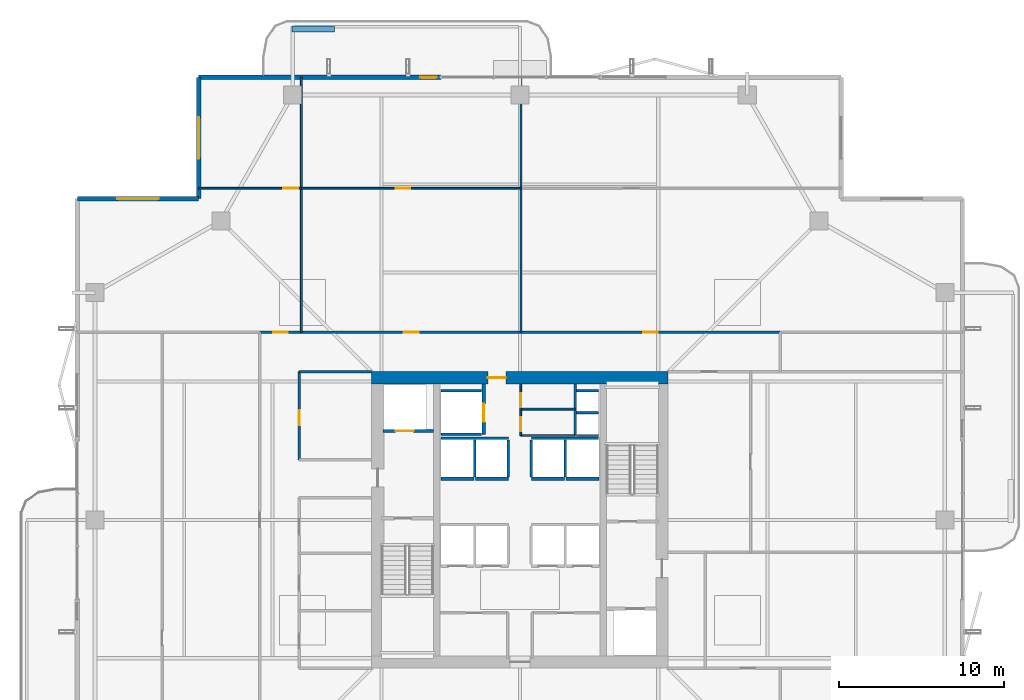
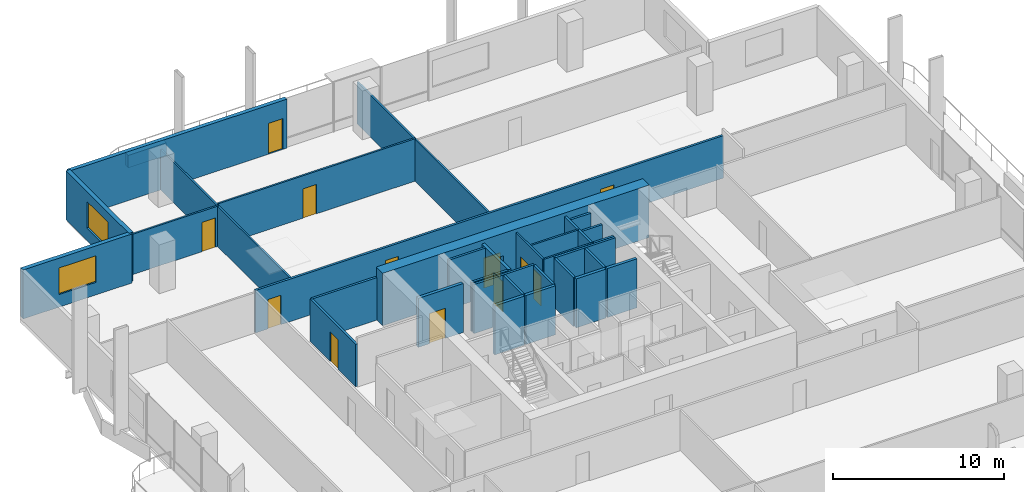
# One storey, part 19 of 24: 33 walls, 12 doors, 2 windows, 14 openings.
"""IFC4 building model written with IfcOpenShell, lengths in metres."""

import ifcopenshell
import ifcopenshell.guid

model = None  # the IFC model being written
_history = None  # IfcOwnerHistory: only IFC2X3 demands one
_inside = {}  # id of a spatial element -> (the spatial element, [elements in it])
_under = {}  # id of a project, library or spatial element -> (it, [spatial elements below it])
_declared = {}  # id of a project -> (the project, [libraries it declares])
_typed = {}  # id of a type object -> (the type object, [elements of that type])
_made_of = {}  # id of a material, layer set ... -> (it, [elements and type objects made of it])


def new_model(schema):
    """Start an empty IFC model of exactly this schema.

    Asked for "IFC4X3", IfcOpenShell would pick the latest addendum, in which some entities
    have other attributes; the version numbers below select the first issue.
    IFC2X3 requires an IfcOwnerHistory on every rooted entity: one is made here for all.
    """
    global model, _history
    if schema == "IFC4X3":
        model = ifcopenshell.file(schema_version=(4, 3, 0, 0))
    else:
        model = ifcopenshell.file(schema=schema)
    _inside.clear()
    _under.clear()
    _declared.clear()
    _typed.clear()
    _made_of.clear()
    _history = None
    if model.schema == "IFC2X3":
        org = make("IfcOrganization", Name="unknown")
        user = make(
            "IfcPersonAndOrganization",
            ThePerson=make("IfcPerson", FamilyName="unknown"),
            TheOrganization=org,
        )
        app = make(
            "IfcApplication",
            ApplicationDeveloper=org,
            Version="unknown",
            ApplicationFullName="unknown",
            ApplicationIdentifier="unknown",
        )
        _history = make(
            "IfcOwnerHistory",
            OwningUser=user,
            OwningApplication=app,
            ChangeAction="ADDED",
            CreationDate=0,
        )
    return model


def make(cls, **values):
    """One entity of the class cls with the attributes given. An attribute that is None is left unset."""
    return model.create_entity(
        cls, **{name: value for name, value in values.items() if value is not None}
    )


def rooted(cls, **values):
    """An entity with a GlobalId (a new one), such as an element, a storey or a relation."""
    return make(cls, GlobalId=ifcopenshell.guid.new(), OwnerHistory=_history, **values)


def si_unit(unit_type, name, prefix=None):
    """IfcSIUnit, for example si_unit("LENGTHUNIT", "METRE", prefix="MILLI")."""
    return make("IfcSIUnit", UnitType=unit_type, Prefix=prefix, Name=name)


def assignment(units):
    """IfcUnitAssignment: the units of a project."""
    return None if units is None else make("IfcUnitAssignment", Units=units)


def point(xyz):
    """IfcCartesianPoint."""
    return None if xyz is None else make("IfcCartesianPoint", Coordinates=xyz)


def direction(xyz):
    """IfcDirection."""
    return None if xyz is None else make("IfcDirection", DirectionRatios=xyz)


def frame(location, z_axis=None, x_axis=None):
    """IfcAxis2Placement3D, a coordinate frame: its origin and axes. An axis left out is left unset."""
    return make(
        "IfcAxis2Placement3D",
        Location=point(location),
        Axis=direction(z_axis),
        RefDirection=direction(x_axis),
    )


def frame_2d(location, x_axis=None):
    """IfcAxis2Placement2D, a coordinate frame in the plane: its origin and x axis."""
    return make(
        "IfcAxis2Placement2D", Location=point(location), RefDirection=direction(x_axis)
    )


def origin():
    """The frame at (0, 0, 0) with its axes left unset."""
    return frame((0.0, 0.0, 0.0))


def place(relative_to, where):
    """IfcLocalPlacement: puts the frame where relative to a parent placement (None: the world)."""
    return make(
        "IfcLocalPlacement", PlacementRelTo=relative_to, RelativePlacement=where
    )


def context(
    kind, dimensions, precision=None, world=None, true_north=None, identifier=None
):
    """IfcGeometricRepresentationContext, for example the 3D "Model" context."""
    return make(
        "IfcGeometricRepresentationContext",
        ContextIdentifier=identifier,
        ContextType=kind,
        CoordinateSpaceDimension=dimensions,
        Precision=precision,
        WorldCoordinateSystem=world,
        TrueNorth=true_north,
    )


def subcontext(parent, identifier, kind, view, scale=None):
    """IfcGeometricRepresentationSubContext, for example "Body" below "Model"."""
    return make(
        "IfcGeometricRepresentationSubContext",
        ContextIdentifier=identifier,
        ContextType=kind,
        ParentContext=parent,
        TargetScale=scale,
        TargetView=view,
    )


def project(units=None, contexts=None):
    """IfcProject with its units and contexts."""
    return rooted(
        "IfcProject",
        Name="project",
        RepresentationContexts=contexts,
        UnitsInContext=assignment(units),
    )


def spatial(cls, under=None, at=None, **own):
    """A site, building, storey or space (cls), placed at a placement, below another one or the project."""
    s = rooted(cls, ObjectPlacement=at, **own)
    if under is not None:
        _under.setdefault(under.id(), (under, []))[1].append(s)
    return s


def profile(cls, at=None, kind="AREA", **sizes):
    """A parametric profile (cls). Its sizes go by their IFC names, for example OverallWidth=200.0."""
    return make(cls, ProfileType=kind, Position=at, **sizes)


def rectangle(**sizes):
    """IfcRectangleProfileDef."""
    return profile("IfcRectangleProfileDef", **sizes)


def extrude(swept, where, along, depth):
    """IfcExtrudedAreaSolid: the profile swept, set in the frame where, extruded along a direction by depth."""
    return make(
        "IfcExtrudedAreaSolid",
        SweptArea=swept,
        Position=where,
        ExtrudedDirection=direction(along),
        Depth=depth,
    )


def shape(context_of_items, identifier, shape_type, items):
    """IfcShapeRepresentation: the items that make up one representation, for example the "Body"."""
    return make(
        "IfcShapeRepresentation",
        ContextOfItems=context_of_items,
        RepresentationIdentifier=identifier,
        RepresentationType=shape_type,
        Items=items,
    )


def material(Name=None, Category=None):
    """IfcMaterial."""
    return make("IfcMaterial", Name=Name, Category=Category)


def layer(
    of_material, thickness, ventilated=None, Name=None, Category=None, Priority=None
):
    """IfcMaterialLayer: one layer of a wall or slab, of a material (None: an air gap)."""
    return make(
        "IfcMaterialLayer",
        Material=of_material,
        LayerThickness=thickness,
        IsVentilated=ventilated,
        Name=Name,
        Category=Category,
        Priority=Priority,
    )


def layer_set(layers, Name=None):
    """IfcMaterialLayerSet."""
    return make("IfcMaterialLayerSet", MaterialLayers=layers, LayerSetName=Name)


def made_of(thing, what):
    """Note that an element or type object is made of a material, layer set ...; save() writes the relation."""
    if what is not None:
        _made_of.setdefault(what.id(), (what, []))[1].append(thing)
    return thing


def type_object(cls, material=None, **own):
    """A type object (cls), such as IfcWallType, which elements share."""
    return made_of(rooted(cls, **own), material)


def element(
    cls,
    number,
    at=None,
    inside=None,
    cuts=None,
    type_object=None,
    material=None,
    context=None,
    identifier="Body",
    shape_type=None,
    held_by="IfcProductDefinitionShape",
    body=None,
    shapes=None,
    **own,
):
    """One element of the class cls, such as IfcWall. Its Tag is "e" and its number.

    at: its placement. inside: the storey or other place that contains it. cuts: it is an
    opening in that element (IfcRelVoidsElement). A single representation is given by context,
    identifier, shape_type and body (its items); several are given by shapes. held_by: the class
    of the entity that holds the representations. save() writes the other relations.
    """
    e = rooted(cls, Tag="e%d" % number, ObjectPlacement=at, **own)
    if body is not None:
        shapes = [shape(context, identifier, shape_type, body)]
    if shapes is not None:
        e.Representation = make(held_by, Representations=shapes)
    if inside is not None:
        _inside.setdefault(inside.id(), (inside, []))[1].append(e)
    if cuts is not None:
        rooted(
            "IfcRelVoidsElement", RelatingBuildingElement=cuts, RelatedOpeningElement=e
        )
    if type_object is not None:
        _typed.setdefault(type_object.id(), (type_object, []))[1].append(e)
    return made_of(e, material)


def fill(opening, filler):
    """IfcRelFillsElement: the door or window that sits in an opening."""
    return rooted(
        "IfcRelFillsElement",
        RelatingOpeningElement=opening,
        RelatedBuildingElement=filler,
    )


def aggregate(whole, parts):
    """IfcRelAggregates: a whole, such as a stair, and the parts it consists of."""
    return rooted("IfcRelAggregates", RelatingObject=whole, RelatedObjects=parts)


def save(model, path):
    """Write the relations noted so far, then the file.

    IfcRelAggregates (storeys below a building ...), IfcRelContainedInSpatialStructure (elements
    in a storey), IfcRelDefinesByType, IfcRelAssociatesMaterial and IfcRelDeclares: one each for
    every whole, place, type object, material and project.
    """
    for whole, parts in _under.values():
        aggregate(whole, parts)
    for where, things in _inside.values():
        rooted(
            "IfcRelContainedInSpatialStructure",
            RelatedElements=things,
            RelatingStructure=where,
        )
    for kind, things in _typed.values():
        rooted("IfcRelDefinesByType", RelatedObjects=things, RelatingType=kind)
    for what, things in _made_of.values():
        rooted("IfcRelAssociatesMaterial", RelatedObjects=things, RelatingMaterial=what)
    for by, libraries in _declared.values():
        rooted("IfcRelDeclares", RelatingContext=by, RelatedDefinitions=libraries)
    model.write(path)


model = new_model("IFC4")

# Units and contexts
model_context = context("Model", 3, precision=1e-05, world=origin(), true_north=direction((0.0, 1.0)))
body_context = subcontext(model_context, "Body", "Model", "MODEL_VIEW")
ifc_project = project(units=[si_unit("LENGTHUNIT", "METRE"), si_unit("AREAUNIT", "SQUARE_METRE"), si_unit("VOLUMEUNIT", "CUBIC_METRE"), si_unit("PLANEANGLEUNIT", "RADIAN"), si_unit("MASSUNIT", "GRAM", prefix="KILO")], contexts=[model_context])

# Site, building, storey
site_placement = place(None, origin())
site = spatial("IfcSite", under=ifc_project, at=site_placement, CompositionType="ELEMENT")
building_placement = place(site_placement, origin())
building = spatial("IfcBuilding", under=site, at=building_placement, Name="Belovzor Exchange Tower", CompositionType="ELEMENT")
storey_placement = place(building_placement, frame((0.0, 0.0, 211.199951171875)))
storey = spatial("IfcBuildingStorey", under=building, at=storey_placement, Name="L52", CompositionType="ELEMENT", Elevation=211.199951171875)

# Wall, opening, door
ifc_material_1 = material(Name="Acoustic Plasterboard on Galvanised Studs", Category="gypsum")
ifc_layer_1 = layer(ifc_material_1, 0.1201171875)
ifc_layer_set_1 = layer_set([ifc_layer_1], Name="Acoustic Plasterboard on Galvanised Studs")
wall_type_1 = type_object("IfcWallType", Name="Acoustic Double-Stud Partition Wall 120", PredefinedType="PARTITIONING", material=ifc_layer_set_1)
wall_1_placement = place(storey_placement, frame((9.300048828125, 48.93505859375, 0.0), z_axis=(0.0, 0.0, 1.0), x_axis=(1.0, 0.0, 0.0)))
wall_1 = element("IfcWall", 1, at=wall_1_placement, inside=storey, type_object=wall_type_1, Name="W-P120 Partition Wall W-L52-NHDIV-0", PredefinedType="PARTITIONING", context=body_context, shape_type="SweptSolid", body=[
    extrude(rectangle(XDim=6.23388671875, YDim=0.1201171875, at=frame_2d((3.116943359375, 0.0))), origin(), (0.0, 0.0, 1.0), 2.885009765625),
])
opening_1_placement = place(wall_1_placement, frame((5.134033203125, 0.0, 0.0)))
opening_1 = element("IfcOpeningElement", 2, at=opening_1_placement, cuts=wall_1, Name="Opening D-INT-090", PredefinedType="OPENING", context=body_context, shape_type="SweptSolid", body=[
    extrude(rectangle(XDim=0.89990234375, YDim=2.10009765625, at=frame_2d((0.449951171875, 1.050048828125))), frame((0.0, 0.070068359375, 0.0), z_axis=(0.0, -1.0, 0.0), x_axis=(1.0, 0.0, 0.0)), (0.0, 0.0, 1.0), 0.14013671875),
])
ifc_material_2 = material(Name="Veneered Hardwood Acoustic Leaf", Category="wood")
door_type_1 = type_object("IfcDoorType", Name="Trading Suite Acoustic Single Door 900x2100", OperationType="NOTDEFINED", PredefinedType="DOOR", material=ifc_material_2)
door_1_placement = place(opening_1_placement, origin())
door_1 = element("IfcDoor", 3, at=door_1_placement, inside=storey, type_object=door_type_1, Name="D-INT-090 Trading Suite Acoustic Single Door 900x2100", OperationType="SINGLE_SWING_RIGHT", OverallHeight=2.10009765625, OverallWidth=0.89990234375, PredefinedType="DOOR", context=body_context, shape_type="SweptSolid", body=[
    extrude(rectangle(XDim=0.89990234375, YDim=2.10009765625, at=frame_2d((0.449951171875, 1.050048828125))), frame((0.0, 0.02490234375, 0.0), z_axis=(0.0, -1.0, 0.0), x_axis=(1.0, 0.0, 0.0)), (0.0, 0.0, 1.0), 0.050048828125),
])
fill(opening_1, door_1)

# Wall
wall_2_placement = place(storey_placement, frame((15.533935546875, 40.199951171875, 0.0), z_axis=(0.0, 0.0, 1.0), x_axis=(0.0, 1.0, 0.0)))
element("IfcWall", 4, at=wall_2_placement, inside=storey, type_object=wall_type_1, Name="W-P120 Partition Wall W-L52-NDIV-1", PredefinedType="PARTITIONING", context=body_context, shape_type="SweptSolid", body=[
    extrude(rectangle(XDim=15.469970703125, YDim=0.1201171875, at=frame_2d((7.73486328125, 0.0))), origin(), (0.0, 0.0, 1.0), 2.885009765625),
])

# Wall, opening, door
wall_3_placement = place(storey_placement, frame((15.533935546875, 48.93505859375, 0.0), z_axis=(0.0, 0.0, 1.0), x_axis=(1.0, 0.0, 0.0)))
wall_3 = element("IfcWall", 5, at=wall_3_placement, inside=storey, type_object=wall_type_1, Name="W-P120 Partition Wall W-L52-NHDIV-1", PredefinedType="PARTITIONING", context=body_context, shape_type="SweptSolid", body=[
    extrude(rectangle(XDim=13.3310546875, YDim=0.1201171875, at=frame_2d((6.66552734375, 0.0))), origin(), (0.0, 0.0, 1.0), 3.03515625),
])
opening_2_placement = place(wall_3_placement, frame((5.714111328125, 0.0, 0.0)))
opening_2 = element("IfcOpeningElement", 6, at=opening_2_placement, cuts=wall_3, Name="Opening D-INT-090", PredefinedType="OPENING", context=body_context, shape_type="SweptSolid", body=[
    extrude(rectangle(XDim=0.89990234375, YDim=2.10009765625, at=frame_2d((0.449951171875, 1.050048828125))), frame((0.0, 0.070068359375, 0.0), z_axis=(0.0, -1.0, 0.0), x_axis=(1.0, 0.0, 0.0)), (0.0, 0.0, 1.0), 0.14013671875),
])
door_2_placement = place(opening_2_placement, origin())
door_2 = element("IfcDoor", 7, at=door_2_placement, inside=storey, type_object=door_type_1, Name="D-INT-090 Trading Suite Acoustic Single Door 900x2100", OperationType="SINGLE_SWING_RIGHT", OverallHeight=2.10009765625, OverallWidth=0.89990234375, PredefinedType="DOOR", context=body_context, shape_type="SweptSolid", body=[
    extrude(rectangle(XDim=0.89990234375, YDim=2.10009765625, at=frame_2d((0.449951171875, 1.050048828125))), frame((0.0, 0.02490234375, 0.0), z_axis=(0.0, -1.0, 0.0), x_axis=(1.0, 0.0, 0.0)), (0.0, 0.0, 1.0), 0.050048828125),
])
fill(opening_2, door_2)

# Wall
wall_4_placement = place(storey_placement, frame((28.864990234375, 40.199951171875, 0.0), z_axis=(0.0, 0.0, 1.0), x_axis=(0.0, 1.0, 0.0)))
element("IfcWall", 8, at=wall_4_placement, inside=storey, type_object=wall_type_1, Name="W-P120 Partition Wall W-L52-NDIV-2", PredefinedType="PARTITIONING", context=body_context, shape_type="SweptSolid", body=[
    extrude(rectangle(XDim=15.469970703125, YDim=0.1201171875, at=frame_2d((7.73486328125, 0.0))), origin(), (0.0, 0.0, 1.0), 2.985107421875),
])

# Wall, openings, doors
ifc_material_3 = material(Name="Fire-Rated Plasterboard on Galvanised Studs", Category="gypsum")
ifc_layer_2 = layer(ifc_material_3, 0.1201171875)
ifc_layer_set_2 = layer_set([ifc_layer_2], Name="Fire-Rated Plasterboard on Galvanised Studs")
wall_type_2 = type_object("IfcWallType", Name="Fire-Rated Double-Stud Partition Wall 120", PredefinedType="PARTITIONING", material=ifc_layer_set_2)
wall_5_placement = place(storey_placement, frame((28.85009765625, 33.925048828125, 0.0), z_axis=(0.0, 0.0, 1.0), x_axis=(0.0, 1.0, 0.0)))
wall_5 = element("IfcWall", 9, at=wall_5_placement, inside=storey, type_object=wall_type_2, Name="W-P120F Partition Wall W-CRV-L52-W", PredefinedType="PARTITIONING", context=body_context, shape_type="SweptSolid", body=[
    extrude(rectangle(XDim=3.125, YDim=0.1201171875, at=frame_2d((1.5625, 0.0))), origin(), (0.0, 0.0, 1.0), 3.5),
])
opening_3_placement = place(wall_5_placement, frame((0.25, 0.0, 0.0)))
opening_3 = element("IfcOpeningElement", 10, at=opening_3_placement, cuts=wall_5, Name="Opening D-FD60-085", PredefinedType="OPENING", context=body_context, shape_type="SweptSolid", body=[
    extrude(rectangle(XDim=0.85009765625, YDim=2.10009765625, at=frame_2d((0.425048828125, 1.050048828125))), frame((0.0, 0.070068359375, 0.0), z_axis=(0.0, -1.0, 0.0), x_axis=(1.0, 0.0, 0.0)), (0.0, 0.0, 1.0), 0.14013671875),
])
opening_4_placement = place(wall_5_placement, frame((1.719970703125, 0.0, 0.0)))
opening_4 = element("IfcOpeningElement", 11, at=opening_4_placement, cuts=wall_5, Name="Opening D-FD60-085", PredefinedType="OPENING", context=body_context, shape_type="SweptSolid", body=[
    extrude(rectangle(XDim=0.85009765625, YDim=2.10009765625, at=frame_2d((0.425048828125, 1.050048828125))), frame((0.0, 0.070068359375, 0.0), z_axis=(0.0, -1.0, 0.0), x_axis=(1.0, 0.0, 0.0)), (0.0, 0.0, 1.0), 0.14013671875),
])
ifc_material_4 = material(Name="Fire-Rated Steel Access Leaf", Category="steel")
door_type_2 = type_object("IfcDoorType", Name="Riser & Meter Closet Access Fire Door 850x2100", OperationType="NOTDEFINED", PredefinedType="DOOR", material=ifc_material_4)
door_3_placement = place(opening_3_placement, origin())
door_3 = element("IfcDoor", 12, at=door_3_placement, inside=storey, type_object=door_type_2, Name="D-FD60-085 Riser & Meter Closet Access Fire Door 850x2100", OperationType="SINGLE_SWING_LEFT", OverallHeight=2.10009765625, OverallWidth=0.85009765625, PredefinedType="DOOR", context=body_context, shape_type="SweptSolid", body=[
    extrude(rectangle(XDim=0.85009765625, YDim=2.10009765625, at=frame_2d((0.425048828125, 1.050048828125))), frame((0.0, 0.02490234375, 0.0), z_axis=(0.0, -1.0, 0.0), x_axis=(1.0, 0.0, 0.0)), (0.0, 0.0, 1.0), 0.050048828125),
])
fill(opening_3, door_3)
door_4_placement = place(opening_4_placement, origin())
door_4 = element("IfcDoor", 13, at=door_4_placement, inside=storey, type_object=door_type_2, Name="D-FD60-085 Riser & Meter Closet Access Fire Door 850x2100", OperationType="SINGLE_SWING_RIGHT", OverallHeight=2.10009765625, OverallWidth=0.85009765625, PredefinedType="DOOR", context=body_context, shape_type="SweptSolid", body=[
    extrude(rectangle(XDim=0.85009765625, YDim=2.10009765625, at=frame_2d((0.425048828125, 1.050048828125))), frame((0.0, 0.02490234375, 0.0), z_axis=(0.0, -1.0, 0.0), x_axis=(1.0, 0.0, 0.0)), (0.0, 0.0, 1.0), 0.050048828125),
])
fill(opening_4, door_4)

# Walls
for number, where, z_axis, x_axis, name in (
    (14, (28.85009765625, 35.52490234375, 0.0), (0.0, 0.0, 1.0), (1.0, 0.0, 0.0), "W-P120F Partition Wall W-CRV-L52-M"),
    (15, (28.85009765625, 33.925048828125, 0.0), (0.0, 0.0, 1.0), (1.0, 0.0, 0.0), "W-P120F Partition Wall W-CRV-L52-S"),
):
    element("IfcWall", number, at=place(storey_placement, frame(where, z_axis=z_axis, x_axis=x_axis)), inside=storey, type_object=wall_type_2, Name=name, PredefinedType="PARTITIONING", context=body_context, shape_type="SweptSolid", body=[
        extrude(rectangle(XDim=3.2998046875, YDim=0.1201171875, at=frame_2d((1.64990234375, 0.0))), origin(), (0.0, 0.0, 1.0), 3.5),
    ])
ifc_material_5 = material(Name="Fire-Rated Gypsum Block and Mineral Wool", Category="gypsum")
ifc_layer_3 = layer(ifc_material_5, 0.14990234375)
ifc_layer_set_3 = layer_set([ifc_layer_3], Name="Fire-Rated Gypsum Block and Mineral Wool")
wall_type_3 = type_object("IfcWallType", Name="Fire-Rated Gypsum Block Corridor Wall 150", PredefinedType="PARTITIONING", material=ifc_layer_set_3)
wall_6_placement = place(storey_placement, frame((15.39990234375, 37.800048828125, 0.0), z_axis=(0.0, 0.0, 1.0), x_axis=(1.0, 0.0, 0.0)))
element("IfcWall", 16, at=wall_6_placement, inside=storey, type_object=wall_type_3, Name="W-P150 Partition Wall W-L52-INW-N", PredefinedType="PARTITIONING", context=body_context, shape_type="SweptSolid", body=[
    extrude(rectangle(XDim=4.400146484375, YDim=0.14990234375, at=frame_2d((2.2001953125, 0.0))), origin(), (0.0, 0.0, 1.0), 3.03515625),
])

# Wall, opening, door
wall_7_placement = place(storey_placement, frame((15.39990234375, 32.449951171875, 0.0), z_axis=(0.0, 0.0, 1.0), x_axis=(0.0, 1.0, 0.0)))
wall_7 = element("IfcWall", 17, at=wall_7_placement, inside=storey, type_object=wall_type_3, Name="W-P150 Partition Wall W-L52-WIE-N", PredefinedType="PARTITIONING", context=body_context, shape_type="SweptSolid", body=[
    extrude(rectangle(XDim=5.35009765625, YDim=0.14990234375, at=frame_2d((2.675048828125, 0.0))), origin(), (0.0, 0.0, 1.0), 3.03515625),
])
opening_5_placement = place(wall_7_placement, frame((2.10009765625, 0.0, 0.0)))
opening_5 = element("IfcOpeningElement", 18, at=opening_5_placement, cuts=wall_7, Name="Opening D-FD60-090", PredefinedType="OPENING", context=body_context, shape_type="SweptSolid", body=[
    extrude(rectangle(XDim=0.89990234375, YDim=2.10009765625, at=frame_2d((0.449951171875, 1.050048828125))), frame((0.0, 0.0849609375, 0.0), z_axis=(0.0, -1.0, 0.0), x_axis=(1.0, 0.0, 0.0)), (0.0, 0.0, 1.0), 0.169921875),
])
ifc_material_6 = material(Name="Acoustic Timber Fire Leaf", Category="wood")
door_type_3 = type_object("IfcDoorType", Name="Core Service & Restroom Fire Door 900x2100", OperationType="NOTDEFINED", PredefinedType="DOOR", material=ifc_material_6)
door_5_placement = place(opening_5_placement, origin())
door_5 = element("IfcDoor", 19, at=door_5_placement, inside=storey, type_object=door_type_3, Name="D-FD60-090 Core Service & Restroom Fire Door 900x2100", OperationType="SINGLE_SWING_LEFT", OverallHeight=2.10009765625, OverallWidth=0.89990234375, PredefinedType="DOOR", context=body_context, shape_type="SweptSolid", body=[
    extrude(rectangle(XDim=0.89990234375, YDim=2.10009765625, at=frame_2d((0.449951171875, 1.050048828125))), frame((0.0, 0.02490234375, 0.0), z_axis=(0.0, -1.0, 0.0), x_axis=(1.0, 0.0, 0.0)), (0.0, 0.0, 1.0), 0.050048828125),
])
fill(opening_5, door_5)

# Wall, openings, doors
wall_8_placement = place(storey_placement, frame((13.0, 40.199951171875, 0.0), z_axis=(0.0, 0.0, 1.0), x_axis=(1.0, 0.0, 0.0)))
wall_8 = element("IfcWall", 20, at=wall_8_placement, inside=storey, type_object=wall_type_3, Name="W-P150 Partition Wall W-L52-CN", PredefinedType="PARTITIONING", context=body_context, shape_type="SweptSolid", body=[
    extrude(rectangle(XDim=31.60009765625, YDim=0.14990234375, at=frame_2d((15.800048828125, 0.0))), origin(), (0.0, 0.0, 1.0), 3.03515625),
])
opening_6_placement = place(wall_8_placement, frame((0.81689453125, 0.0, 0.0)))
opening_6 = element("IfcOpeningElement", 21, at=opening_6_placement, cuts=wall_8, Name="Opening D-INT-090", PredefinedType="OPENING", context=body_context, shape_type="SweptSolid", body=[
    extrude(rectangle(XDim=0.89990234375, YDim=2.10009765625, at=frame_2d((0.449951171875, 1.050048828125))), frame((0.0, 0.0849609375, 0.0), z_axis=(0.0, -1.0, 0.0), x_axis=(1.0, 0.0, 0.0)), (0.0, 0.0, 1.0), 0.169921875),
])
opening_7_placement = place(wall_8_placement, frame((8.75, 0.0, 0.0)))
opening_7 = element("IfcOpeningElement", 22, at=opening_7_placement, cuts=wall_8, Name="Opening D-INT-090", PredefinedType="OPENING", context=body_context, shape_type="SweptSolid", body=[
    extrude(rectangle(XDim=0.89990234375, YDim=2.10009765625, at=frame_2d((0.449951171875, 1.050048828125))), frame((0.0, 0.0849609375, 0.0), z_axis=(0.0, -1.0, 0.0), x_axis=(1.0, 0.0, 0.0)), (0.0, 0.0, 1.0), 0.169921875),
])
opening_8_placement = place(wall_8_placement, frame((23.281982421875, 0.0, 0.0)))
opening_8 = element("IfcOpeningElement", 23, at=opening_8_placement, cuts=wall_8, Name="Opening D-INT-090", PredefinedType="OPENING", context=body_context, shape_type="SweptSolid", body=[
    extrude(rectangle(XDim=0.89990234375, YDim=2.10009765625, at=frame_2d((0.449951171875, 1.050048828125))), frame((0.0, 0.0849609375, 0.0), z_axis=(0.0, -1.0, 0.0), x_axis=(1.0, 0.0, 0.0)), (0.0, 0.0, 1.0), 0.169921875),
])
door_6_placement = place(opening_6_placement, origin())
door_6 = element("IfcDoor", 24, at=door_6_placement, inside=storey, type_object=door_type_1, Name="D-INT-090 Trading Suite Acoustic Single Door 900x2100", OperationType="SINGLE_SWING_RIGHT", OverallHeight=2.10009765625, OverallWidth=0.89990234375, PredefinedType="DOOR", context=body_context, shape_type="SweptSolid", body=[
    extrude(rectangle(XDim=0.89990234375, YDim=2.10009765625, at=frame_2d((0.449951171875, 1.050048828125))), frame((0.0, 0.02490234375, 0.0), z_axis=(0.0, -1.0, 0.0), x_axis=(1.0, 0.0, 0.0)), (0.0, 0.0, 1.0), 0.050048828125),
])
fill(opening_6, door_6)
door_7_placement = place(opening_7_placement, origin())
door_7 = element("IfcDoor", 25, at=door_7_placement, inside=storey, type_object=door_type_1, Name="D-INT-090 Trading Suite Acoustic Single Door 900x2100", OperationType="SINGLE_SWING_LEFT", OverallHeight=2.10009765625, OverallWidth=0.89990234375, PredefinedType="DOOR", context=body_context, shape_type="SweptSolid", body=[
    extrude(rectangle(XDim=0.89990234375, YDim=2.10009765625, at=frame_2d((0.449951171875, 1.050048828125))), frame((0.0, 0.02490234375, 0.0), z_axis=(0.0, -1.0, 0.0), x_axis=(1.0, 0.0, 0.0)), (0.0, 0.0, 1.0), 0.050048828125),
])
fill(opening_7, door_7)
door_8_placement = place(opening_8_placement, origin())
door_8 = element("IfcDoor", 26, at=door_8_placement, inside=storey, type_object=door_type_1, Name="D-INT-090 Trading Suite Acoustic Single Door 900x2100", OperationType="SINGLE_SWING_RIGHT", OverallHeight=2.10009765625, OverallWidth=0.89990234375, PredefinedType="DOOR", context=body_context, shape_type="SweptSolid", body=[
    extrude(rectangle(XDim=0.89990234375, YDim=2.10009765625, at=frame_2d((0.449951171875, 1.050048828125))), frame((0.0, 0.02490234375, 0.0), z_axis=(0.0, -1.0, 0.0), x_axis=(1.0, 0.0, 0.0)), (0.0, 0.0, 1.0), 0.050048828125),
])
fill(opening_8, door_8)

# Wall, opening, window
ifc_material_7 = material(Name="Precast concrete C40/50", Category="concrete")
ifc_layer_4 = layer(ifc_material_7, 0.280029296875)
ifc_layer_set_4 = layer_set([ifc_layer_4], Name="Precast concrete C40/50")
wall_type_4 = type_object("IfcWallType", Name="Precast Concrete Notched Corner Frame Wall 280", PredefinedType="SOLIDWALL", material=ifc_layer_set_4)
wall_9_placement = place(storey_placement, frame((1.929931640625, 48.300048828125, 0.0), z_axis=(0.0, 0.0, 1.0), x_axis=(1.0, 0.0, 0.0)))
wall_9 = element("IfcWall", 27, at=wall_9_placement, inside=storey, type_object=wall_type_4, Name="W-CRN280 Precast Concrete Notched Corner Frame Wall 280 L52", PredefinedType="SOLIDWALL", context=body_context, shape_type="SweptSolid", body=[
    extrude(rectangle(XDim=7.3701171875, YDim=0.280029296875, at=frame_2d((3.68505859375, 0.0))), origin(), (0.0, 0.0, 1.0), 3.5),
])
opening_9_placement = place(wall_9_placement, frame((2.43505859375, 0.0, 0.89990234375)))
opening_9 = element("IfcOpeningElement", 28, at=opening_9_placement, cuts=wall_9, Name="Opening WN-CRN250", PredefinedType="OPENING", context=body_context, shape_type="SweptSolid", body=[
    extrude(rectangle(XDim=2.5, YDim=1.89990234375, at=frame_2d((1.25, 0.949951171875))), frame((0.0, 0.14990234375, 0.0), z_axis=(0.0, -1.0, 0.0), x_axis=(1.0, 0.0, 0.0)), (0.0, 0.0, 1.0), 0.300048828125),
])
ifc_material_8 = material(Name="Thermally Broken Aluminium and Triple Glazing", Category="aluminium")
window_type = type_object("IfcWindowType", Name="Streamline Moderne Corner Wrap Ribbon Window 2500x1900", PartitioningType="SINGLE_PANEL", PredefinedType="WINDOW", material=ifc_material_8)
window_1_placement = place(opening_9_placement, origin())
window_1 = element("IfcWindow", 29, at=window_1_placement, inside=storey, type_object=window_type, Name="WN-CRN250 Streamline Moderne Corner Wrap Ribbon Window 2500x1900", OverallHeight=1.89990234375, OverallWidth=2.5, PartitioningType="SINGLE_PANEL", PredefinedType="WINDOW", context=body_context, shape_type="SweptSolid", body=[
    extrude(rectangle(XDim=2.5, YDim=1.89990234375, at=frame_2d((1.25, 0.949951171875))), frame((0.0, 0.030029296875, 0.0), z_axis=(0.0, -1.0, 0.0), x_axis=(1.0, 0.0, 0.0)), (0.0, 0.0, 1.0), 0.06005859375),
])
fill(opening_9, window_1)

wall_10_placement = place(storey_placement, frame((9.300048828125, 48.300048828125, 0.0), z_axis=(0.0, 0.0, 1.0), x_axis=(0.0, 1.0, 0.0)))
wall_10 = element("IfcWall", 30, at=wall_10_placement, inside=storey, type_object=wall_type_4, Name="W-CRN280 Precast Concrete Notched Corner Frame Wall 280 L52", PredefinedType="SOLIDWALL", context=body_context, shape_type="SweptSolid", body=[
    extrude(rectangle(XDim=7.369873046875, YDim=0.280029296875, at=frame_2d((3.68505859375, 0.0))), origin(), (0.0, 0.0, 1.0), 3.5),
])
opening_10_placement = place(wall_10_placement, frame((2.43505859375, 0.0, 0.89990234375)))
opening_10 = element("IfcOpeningElement", 31, at=opening_10_placement, cuts=wall_10, Name="Opening WN-CRN250", PredefinedType="OPENING", context=body_context, shape_type="SweptSolid", body=[
    extrude(rectangle(XDim=2.5, YDim=1.89990234375, at=frame_2d((1.25, 0.949951171875))), frame((0.0, 0.14990234375, 0.0), z_axis=(0.0, -1.0, 0.0), x_axis=(1.0, 0.0, 0.0)), (0.0, 0.0, 1.0), 0.300048828125),
])
window_2_placement = place(opening_10_placement, origin())
window_2 = element("IfcWindow", 32, at=window_2_placement, inside=storey, type_object=window_type, Name="WN-CRN250 Streamline Moderne Corner Wrap Ribbon Window 2500x1900", OverallHeight=1.89990234375, OverallWidth=2.5, PartitioningType="SINGLE_PANEL", PredefinedType="WINDOW", context=body_context, shape_type="SweptSolid", body=[
    extrude(rectangle(XDim=2.5, YDim=1.89990234375, at=frame_2d((1.25, 0.949951171875))), frame((0.0, 0.030029296875, 0.0), z_axis=(0.0, -1.0, 0.0), x_axis=(1.0, 0.0, 0.0)), (0.0, 0.0, 1.0), 0.06005859375),
])
fill(opening_10, window_2)

# Wall, opening, door
ifc_material_9 = material(Name="Precast concrete C40/50", Category="concrete")
ifc_layer_5 = layer(ifc_material_9, 0.260009765625)
ifc_layer_set_5 = layer_set([ifc_layer_5], Name="Precast concrete C40/50")
wall_type_5 = type_object("IfcWallType", Name="Precast Concrete Perimeter Loggia Frame Wall 260", PredefinedType="SOLIDWALL", material=ifc_layer_set_5)
wall_11_placement = place(storey_placement, frame((9.300048828125, 55.669921875, 0.0), z_axis=(0.0, 0.0, 1.0), x_axis=(1.0, 0.0, 0.0)))
wall_11 = element("IfcWall", 33, at=wall_11_placement, inside=storey, type_object=wall_type_5, Name="W-EXT260 Precast Concrete Perimeter Loggia Frame Wall 260 L52", PredefinedType="SOLIDWALL", context=body_context, shape_type="SweptSolid", body=[
    extrude(rectangle(XDim=14.699951171875, YDim=0.260009765625, at=frame_2d((7.35009765625, 0.0))), origin(), (0.0, 0.0, 1.0), 3.5),
])
opening_11_placement = place(wall_11_placement, frame((13.449951171875, 0.0, 0.0)))
opening_11 = element("IfcOpeningElement", 34, at=opening_11_placement, cuts=wall_11, Name="Opening D-BAL100", PredefinedType="OPENING", context=body_context, shape_type="SweptSolid", body=[
    extrude(rectangle(XDim=1.0, YDim=2.199951171875, at=frame_2d((0.5, 1.10009765625))), frame((0.0, 0.139892578125, 0.0), z_axis=(0.0, -1.0, 0.0), x_axis=(1.0, 0.0, 0.0)), (0.0, 0.0, 1.0), 0.280029296875),
])
ifc_material_10 = material(Name="Thermally Broken Anodised Aluminium and Laminated Glass", Category="aluminium")
door_type_4 = type_object("IfcDoorType", Name="Planted Loggia Terrace Glazed Door 1000x2200", OperationType="SINGLE_SWING_LEFT", PredefinedType="DOOR", material=ifc_material_10)
door_9_placement = place(opening_11_placement, origin())
door_9 = element("IfcDoor", 35, at=door_9_placement, inside=storey, type_object=door_type_4, Name="D-BAL100 Balcony Terrace Door L52 N", OperationType="SINGLE_SWING_RIGHT", OverallHeight=2.199951171875, OverallWidth=1.0, PredefinedType="DOOR", context=body_context, shape_type="SweptSolid", body=[
    extrude(rectangle(XDim=1.0, YDim=2.199951171875, at=frame_2d((0.5, 1.10009765625))), frame((0.0, 0.02490234375, 0.0), z_axis=(0.0, -1.0, 0.0), x_axis=(1.0, 0.0, 0.0)), (0.0, 0.0, 1.0), 0.050048828125),
])
fill(opening_11, door_9)

# Walls
ifc_material_11 = material(Name="Precast concrete C40/50", Category="concrete")
ifc_layer_6 = layer(ifc_material_11, 0.35009765625)
ifc_layer_set_6 = layer_set([ifc_layer_6], Name="Precast concrete C40/50")
wall_type_6 = type_object("IfcWallType", Name="Precast Concrete Structural Tree Planter Trough 350", PredefinedType="PARAPET", material=ifc_layer_set_6)
wall_12_placement = place(storey_placement, frame((14.949951171875, 58.60009765625, 0.0), z_axis=(0.0, 0.0, 1.0), x_axis=(1.0, 0.0, 0.0)))
element("IfcWall", 36, at=wall_12_placement, inside=storey, type_object=wall_type_6, Name="PT-350 Precast Concrete Structural Tree Planter Trough 350 L52", PredefinedType="PARAPET", context=body_context, shape_type="SweptSolid", body=[
    extrude(rectangle(XDim=2.60009765625, YDim=0.35009765625, at=frame_2d((1.300048828125, 0.0))), origin(), (0.0, 0.0, 1.0), 0.900146484375),
])
ifc_material_12 = material(Name="Concrete C50/60", Category="concrete")
ifc_layer_7 = layer(ifc_material_12, 0.14990234375)
ifc_layer_set_7 = layer_set([ifc_layer_7], Name="Concrete C50/60")
wall_type_7 = type_object("IfcWallType", Name="Reinforced Concrete Core Riser Shear Wall 150", PredefinedType="SHEAR", material=ifc_layer_set_7)
wall_13_placement = place(storey_placement, frame((32.14990234375, 34.0, 0.0), z_axis=(0.0, 0.0, 1.0), x_axis=(0.0, 1.0, 0.0)))
element("IfcWall", 37, at=wall_13_placement, inside=storey, type_object=wall_type_7, Name="W-C150S Core Shaft Wall W-RSR-L52-E", PredefinedType="SHEAR", context=body_context, shape_type="SweptSolid", body=[
    extrude(rectangle(XDim=3.050048828125, YDim=0.14990234375, at=frame_2d((1.52490234375, 0.0))), origin(), (0.0, 0.0, 1.0), 3.5),
])
for number, where, z_axis, x_axis, name in (
    (38, (32.25, 33.925048828125, 0.0), (0.0, 0.0, 1.0), (1.0, 0.0, 0.0), "W-C150S Core Shaft Wall W-RSR-L52-S"),
    (39, (32.25, 35.300048828125, 0.0), (0.0, 0.0, 1.0), (1.0, 0.0, 0.0), "W-C150S Core Shaft Wall W-RSR-L52-M"),
):
    element("IfcWall", number, at=place(storey_placement, frame(where, z_axis=z_axis, x_axis=x_axis)), inside=storey, type_object=wall_type_7, Name=name, PredefinedType="SHEAR", context=body_context, shape_type="SweptSolid", body=[
        extrude(rectangle(XDim=1.330078125, YDim=0.14990234375, at=frame_2d((0.6650390625, 0.0))), origin(), (0.0, 0.0, 1.0), 3.5),
    ])
for number, where, z_axis, x_axis, name in (
    (40, (24.0, 34.0, 0.0), (0.0, 0.0, 1.0), (1.0, 0.0, 0.0), "W-C150S Core Shaft Wall W-SH-L52-SL-01S"),
    (41, (24.0, 36.64990234375, 0.0), (0.0, 0.0, 1.0), (1.0, 0.0, 0.0), "W-C150S Core Shaft Wall W-SH-L52-SL-01N"),
):
    element("IfcWall", number, at=place(storey_placement, frame(where, z_axis=z_axis, x_axis=x_axis)), inside=storey, type_object=wall_type_7, Name=name, PredefinedType="SHEAR", context=body_context, shape_type="SweptSolid", body=[
        extrude(rectangle(XDim=2.47998046875, YDim=0.14990234375, at=frame_2d((1.239990234375, 0.0))), origin(), (0.0, 0.0, 1.0), 3.5),
    ])
wall_14_placement = place(storey_placement, frame((32.25, 36.64990234375, 0.0), z_axis=(0.0, 0.0, 1.0), x_axis=(1.0, 0.0, 0.0)))
element("IfcWall", 42, at=wall_14_placement, inside=storey, type_object=wall_type_7, Name="W-C150S Core Shaft Wall W-RSR-L52-N", PredefinedType="SHEAR", context=body_context, shape_type="SweptSolid", body=[
    extrude(rectangle(XDim=1.330078125, YDim=0.14990234375, at=frame_2d((0.6650390625, 0.0))), origin(), (0.0, 0.0, 1.0), 3.5),
])
for number, where, z_axis, x_axis, name in (
    (43, (24.02001953125, 33.760009765625, 0.0), (0.0, 0.0, 1.0), (1.0, 0.0, 0.0), "W-C150S Core Shaft Wall W-SHB-L52-PLH-NW"),
    (44, (29.5, 33.760009765625, 0.0), (0.0, 0.0, 1.0), (1.0, 0.0, 0.0), "W-C150S Core Shaft Wall W-SHB-L52-PLH-NE"),
):
    element("IfcWall", number, at=place(storey_placement, frame(where, z_axis=z_axis, x_axis=x_axis)), inside=storey, type_object=wall_type_7, Name=name, PredefinedType="SHEAR", context=body_context, shape_type="SweptSolid", body=[
        extrude(rectangle(XDim=4.080078125, YDim=0.14990234375, at=frame_2d((2.0400390625, 0.0))), origin(), (0.0, 0.0, 1.0), 3.5),
    ])
for number, where, z_axis, x_axis, name in (
    (45, (26.050048828125, 31.419921875, 0.0), (0.0, 0.0, 1.0), (0.0, 1.0, 0.0), "W-C150S Core Shaft Wall W-SHD-L52-PLH-1"),
    (46, (28.10009765625, 31.419921875, 0.0), (0.0, 0.0, 1.0), (0.0, 1.0, 0.0), "W-C150S Core Shaft Wall W-SHD-L52-PLH-2"),
    (47, (29.5, 31.419921875, 0.0), (0.0, 0.0, 1.0), (0.0, 1.0, 0.0), "W-C150S Core Shaft Wall W-SHD-L52-PLH-3"),
    (48, (31.550048828125, 31.419921875, 0.0), (0.0, 0.0, 1.0), (0.0, 1.0, 0.0), "W-C150S Core Shaft Wall W-SHD-L52-PLH-4"),
):
    element("IfcWall", number, at=place(storey_placement, frame(where, z_axis=z_axis, x_axis=x_axis)), inside=storey, type_object=wall_type_7, Name=name, PredefinedType="SHEAR", context=body_context, shape_type="SweptSolid", body=[
        extrude(rectangle(XDim=2.239990234375, YDim=0.14990234375, at=frame_2d((1.1201171875, 0.0))), origin(), (0.0, 0.0, 1.0), 3.5),
    ])

# Wall, opening, door
ifc_material_13 = material(Name="Concrete C50/60", Category="concrete")
ifc_layer_8 = layer(ifc_material_13, 0.199951171875)
ifc_layer_set_8 = layer_set([ifc_layer_8], Name="Concrete C50/60")
wall_type_8 = type_object("IfcWallType", Name="Reinforced Concrete Core Shaft Shear Wall 200", PredefinedType="SHEAR", material=ifc_layer_set_8)
wall_15_placement = place(storey_placement, frame((20.5, 34.199951171875, 0.0), z_axis=(0.0, 0.0, 1.0), x_axis=(1.0, 0.0, 0.0)))
wall_15 = element("IfcWall", 49, at=wall_15_placement, inside=storey, type_object=wall_type_8, Name="W-C200S Core Shaft Wall W-SH-L52-FFL-01", PredefinedType="SHEAR", context=body_context, shape_type="SweptSolid", body=[
    extrude(rectangle(XDim=3.050048828125, YDim=0.199951171875, at=frame_2d((1.52490234375, 0.0))), origin(), (0.0, 0.0, 1.0), 3.5),
])
opening_12_placement = place(wall_15_placement, frame((0.75, 0.0, 0.0)))
opening_12 = element("IfcOpeningElement", 50, at=opening_12_placement, cuts=wall_15, Name="Opening LD-110", PredefinedType="OPENING", context=body_context, shape_type="SweptSolid", body=[
    extrude(rectangle(XDim=1.10009765625, YDim=2.14990234375, at=frame_2d((0.550048828125, 1.074951171875))), frame((0.0, 0.10986328125, 0.0), z_axis=(0.0, -1.0, 0.0), x_axis=(1.0, 0.0, 0.0)), (0.0, 0.0, 1.0), 0.219970703125),
])
ifc_material_14 = material(Name="Stainless Steel Grade 304", Category="steel")
door_type_5 = type_object("IfcDoorType", Name="Automated Stainless Steel Lift Landing Door 1100x2150", OperationType="SLIDING_TO_RIGHT", PredefinedType="DOOR", material=ifc_material_14)
door_10_placement = place(opening_12_placement, origin())
door_10 = element("IfcDoor", 51, at=door_10_placement, inside=storey, type_object=door_type_5, Name="LD-110 Automated Stainless Steel Lift Landing Door 1100x2150", OperationType="SLIDING_TO_RIGHT", OverallHeight=2.14990234375, OverallWidth=1.10009765625, PredefinedType="DOOR", context=body_context, shape_type="SweptSolid", body=[
    extrude(rectangle(XDim=1.10009765625, YDim=2.14990234375, at=frame_2d((0.550048828125, 1.074951171875))), frame((0.0, 0.02490234375, 0.0), z_axis=(0.0, -1.0, 0.0), x_axis=(1.0, 0.0, 0.0)), (0.0, 0.0, 1.0), 0.050048828125),
])
fill(opening_12, door_10)

wall_16_placement = place(storey_placement, frame((26.60009765625, 34.0, 0.0), z_axis=(0.0, 0.0, 1.0), x_axis=(0.0, 1.0, 0.0)))
wall_16 = element("IfcWall", 52, at=wall_16_placement, inside=storey, type_object=wall_type_8, Name="W-C200S Core Shaft Wall W-SH-L52-SL-01", PredefinedType="SHEAR", context=body_context, shape_type="SweptSolid", body=[
    extrude(rectangle(XDim=3.050048828125, YDim=0.199951171875, at=frame_2d((1.52490234375, 0.0))), origin(), (0.0, 0.0, 1.0), 3.5),
])
opening_13_placement = place(wall_16_placement, frame((0.75, 0.0, 0.0)))
opening_13 = element("IfcOpeningElement", 53, at=opening_13_placement, cuts=wall_16, Name="Opening LD-110", PredefinedType="OPENING", context=body_context, shape_type="SweptSolid", body=[
    extrude(rectangle(XDim=1.10009765625, YDim=2.14990234375, at=frame_2d((0.550048828125, 1.074951171875))), frame((0.0, 0.10986328125, 0.0), z_axis=(0.0, -1.0, 0.0), x_axis=(1.0, 0.0, 0.0)), (0.0, 0.0, 1.0), 0.219970703125),
])
door_11_placement = place(opening_13_placement, origin())
door_11 = element("IfcDoor", 54, at=door_11_placement, inside=storey, type_object=door_type_5, Name="LD-110 Automated Stainless Steel Lift Landing Door 1100x2150", OperationType="SLIDING_TO_RIGHT", OverallHeight=2.14990234375, OverallWidth=1.10009765625, PredefinedType="DOOR", context=body_context, shape_type="SweptSolid", body=[
    extrude(rectangle(XDim=1.10009765625, YDim=2.14990234375, at=frame_2d((0.550048828125, 1.074951171875))), frame((0.0, 0.02490234375, 0.0), z_axis=(0.0, -1.0, 0.0), x_axis=(1.0, 0.0, 0.0)), (0.0, 0.0, 1.0), 0.050048828125),
])
fill(opening_13, door_11)

# Walls
for number, where, z_axis, x_axis, name in (
    (55, (24.0, 31.300048828125, 0.0), (0.0, 0.0, 1.0), (1.0, 0.0, 0.0), "W-C200S Core Shaft Wall W-SH-L52-PL-H1"),
    (56, (26.10009765625, 31.300048828125, 0.0), (0.0, 0.0, 1.0), (1.0, 0.0, 0.0), "W-C200S Core Shaft Wall W-SH-L52-PL-H2"),
    (57, (29.5, 31.300048828125, 0.0), (0.0, 0.0, 1.0), (1.0, 0.0, 0.0), "W-C200S Core Shaft Wall W-SH-L52-PL-H3"),
    (58, (31.60009765625, 31.300048828125, 0.0), (0.0, 0.0, 1.0), (1.0, 0.0, 0.0), "W-C200S Core Shaft Wall W-SH-L52-PL-H4"),
):
    element("IfcWall", number, at=place(storey_placement, frame(where, z_axis=z_axis, x_axis=x_axis)), inside=storey, type_object=wall_type_8, Name=name, PredefinedType="SHEAR", context=body_context, shape_type="SweptSolid", body=[
        extrude(rectangle(XDim=2.0, YDim=0.199951171875, at=frame_2d((1.0, 0.0))), origin(), (0.0, 0.0, 1.0), 3.5),
    ])

# Wall, opening, door
ifc_material_15 = material(Name="Concrete C50/60", Category="concrete")
ifc_layer_9 = layer(ifc_material_15, 0.75)
ifc_layer_set_9 = layer_set([ifc_layer_9], Name="Concrete C50/60")
wall_type_9 = type_object("IfcWallType", Name="Reinforced Concrete Core Shear Wall 750", PredefinedType="SHEAR", material=ifc_layer_set_9)
wall_17_placement = place(storey_placement, frame((19.800048828125, 37.425048828125, 0.0), z_axis=(0.0, 0.0, 1.0), x_axis=(1.0, 0.0, 0.0)))
wall_17 = element("IfcWall", 59, at=wall_17_placement, inside=storey, type_object=wall_type_9, Name="CW-S075 Core Shear Wall L52 N", PredefinedType="SHEAR", context=body_context, shape_type="SweptSolid", body=[
    extrude(rectangle(XDim=18.0, YDim=0.75, at=frame_2d((9.0, 0.0))), origin(), (0.0, 0.0, 1.0), 3.75),
])
opening_14_placement = place(wall_17_placement, frame((7.050048828125, 0.0, 0.0)))
opening_14 = element("IfcOpeningElement", 60, at=opening_14_placement, cuts=wall_17, Name="Opening D-FD90-110", PredefinedType="OPENING", context=body_context, shape_type="SweptSolid", body=[
    extrude(rectangle(XDim=1.10009765625, YDim=2.14990234375, at=frame_2d((0.550048828125, 1.074951171875))), frame((0.0, 0.385009765625, 0.0), z_axis=(0.0, -1.0, 0.0), x_axis=(1.0, 0.0, 0.0)), (0.0, 0.0, 1.0), 0.77001953125),
])
ifc_material_16 = material(Name="Fire-Rated Galvanised Steel Leaf", Category="steel")
door_type_6 = type_object("IfcDoorType", Name="Protected Escape Vestibule Fire Door 1100x2150", OperationType="NOTDEFINED", PredefinedType="DOOR", material=ifc_material_16)
door_12_placement = place(opening_14_placement, origin())
door_12 = element("IfcDoor", 61, at=door_12_placement, inside=storey, type_object=door_type_6, Name="D-FD90-110 Protected Escape Vestibule Fire Door 1100x2150", OperationType="SINGLE_SWING_RIGHT", OverallHeight=2.14990234375, OverallWidth=1.10009765625, PredefinedType="DOOR", context=body_context, shape_type="SweptSolid", body=[
    extrude(rectangle(XDim=1.10009765625, YDim=2.14990234375, at=frame_2d((0.550048828125, 1.074951171875))), frame((0.0, 0.02490234375, 0.0), z_axis=(0.0, -1.0, 0.0), x_axis=(1.0, 0.0, 0.0)), (0.0, 0.0, 1.0), 0.050048828125),
])
fill(opening_14, door_12)

save(model, "model.ifc")
